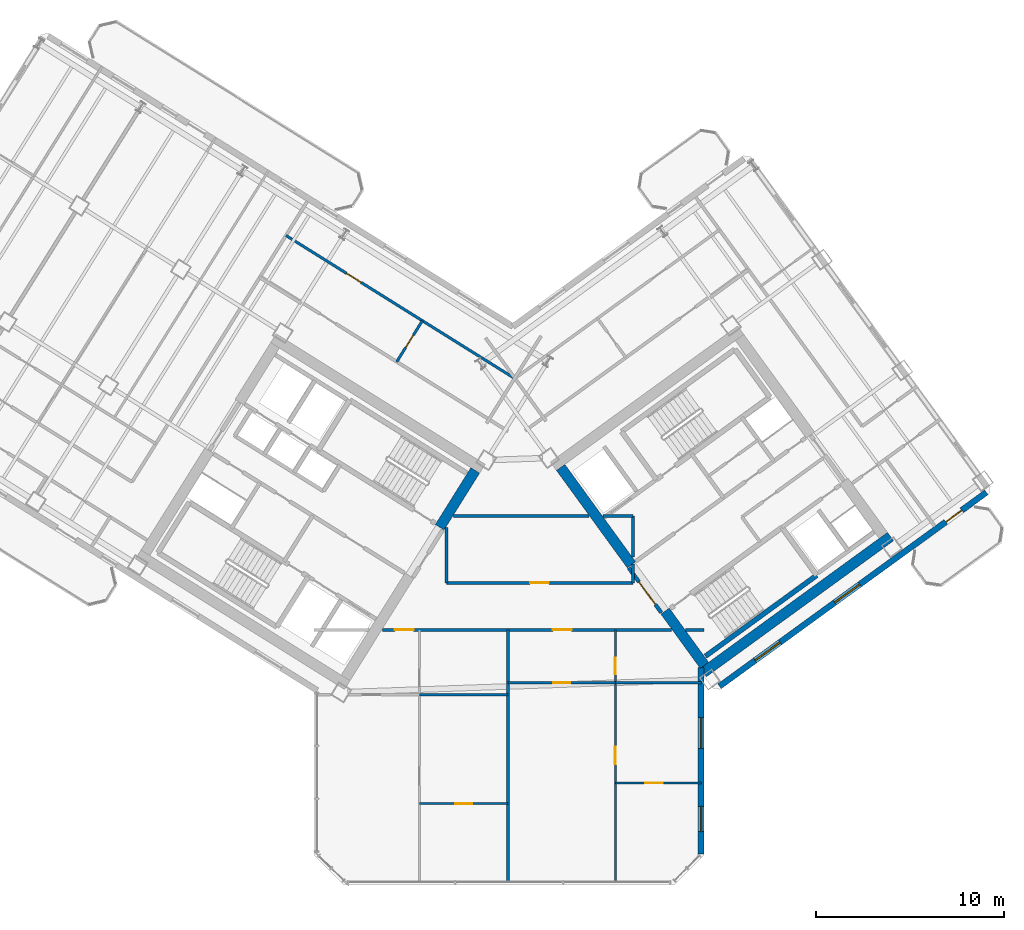
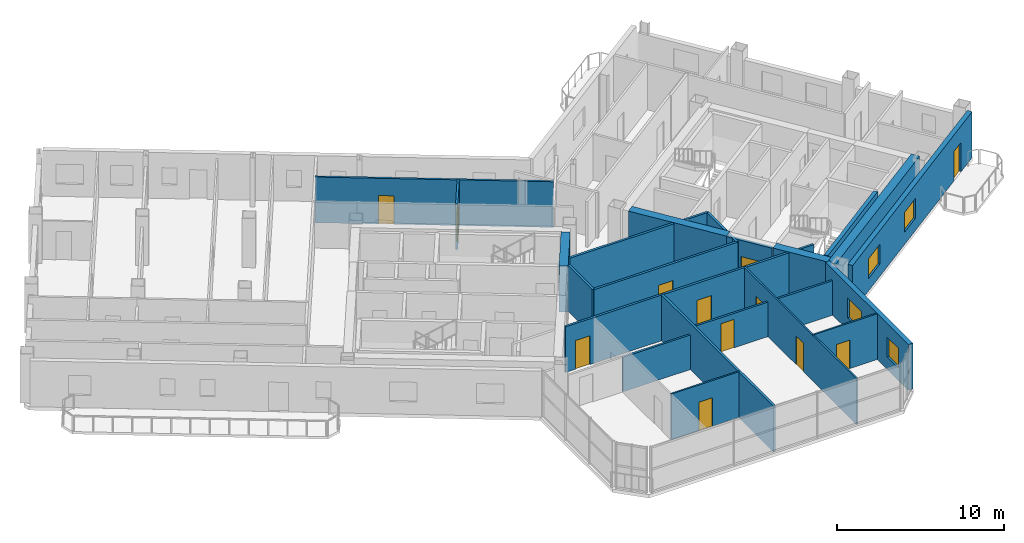
# One storey, part 13 of 20: 25 walls, 12 doors, 4 windows, 16 openings.
"""IFC4 building model written with IfcOpenShell, lengths in metres."""

from ifc_helpers import new_model, si_unit, direction, frame, frame_2d, origin, place, context, subcontext, project, spatial, rectangle, extrude, source, transform, mapped, material, layer, layer_set, type_object, element, fill, save


model = new_model("IFC4")

# Units and contexts
model_context = context("Model", 3, precision=1e-05, world=origin(), true_north=direction((0.0, 1.0)))
body_context = subcontext(model_context, "Body", "Model", "MODEL_VIEW")
ifc_project = project(units=[si_unit("LENGTHUNIT", "METRE"), si_unit("AREAUNIT", "SQUARE_METRE"), si_unit("VOLUMEUNIT", "CUBIC_METRE"), si_unit("PLANEANGLEUNIT", "RADIAN"), si_unit("MASSUNIT", "GRAM", prefix="KILO")], contexts=[model_context])

# Site, building, storey
site_placement = place(None, origin())
site = spatial("IfcSite", under=ifc_project, at=site_placement, CompositionType="ELEMENT")
building_placement = place(site_placement, origin())
building = spatial("IfcBuilding", under=site, at=building_placement, Name="Tlacorven Tower", CompositionType="ELEMENT")
storey_placement = place(building_placement, frame((0.0, 0.0, 204.0)))
storey = spatial("IfcBuildingStorey", under=building, at=storey_placement, Name="L51", CompositionType="ELEMENT", Elevation=204.0)

# Walls
ifc_material_1 = material(Name="Concrete C60/75", Category="concrete")
ifc_layer_1 = layer(ifc_material_1, 0.550048828125)
ifc_layer_set_1 = layer_set([ifc_layer_1], Name="Concrete C60/75")
wall_type_1 = type_object("IfcWallType", Name="WL-COR-550", PredefinedType="SHEAR", material=ifc_layer_set_1)
wall_1_placement = place(storey_placement, frame((40.194091796875, 23.92236328125, 0.0), z_axis=(0.0, 0.0, 1.0), x_axis=(-0.529888438328, -0.848067357541, 0.0)))
element("IfcWall", 1, at=wall_1_placement, inside=storey, type_object=wall_type_1, Name="L51 W core end wall E1.1", PredefinedType="SHEAR", context=body_context, shape_type="SweptSolid", body=[
    extrude(rectangle(XDim=3.574951171875, YDim=0.550048828125, at=frame_2d((1.78759765625, 0.0))), origin(), (0.0, 0.0, 1.0), 3.35009765625),
])
wall_2_placement = place(storey_placement, frame((52.35888671875, 13.1396484375, 0.0), z_axis=(0.0, 0.0, 1.0), x_axis=(0.809014896919, 0.587788139183, 0.0)))
element("IfcWall", 2, at=wall_2_placement, inside=storey, type_object=wall_type_1, Name="L51 E core shear wall S1", PredefinedType="SHEAR", context=body_context, shape_type="SweptSolid", body=[
    extrude(rectangle(XDim=12.340087890625, YDim=0.550048828125, at=frame_2d((6.169921875, 0.0))), origin(), (0.0, 0.0, 1.0), 3.35009765625),
])
wall_3_placement = place(storey_placement, frame((52.419677734375, 13.52392578125, 0.0), z_axis=(0.0, 0.0, 1.0), x_axis=(-0.587802113096, 0.809004744015, 0.0)))
element("IfcWall", 3, at=wall_3_placement, inside=storey, type_object=wall_type_1, Name="L51 E core end wall E1.1", PredefinedType="SHEAR", context=body_context, shape_type="SweptSolid", body=[
    extrude(rectangle(XDim=3.574951171875, YDim=0.550048828125, at=frame_2d((1.78759765625, 0.0))), origin(), (0.0, 0.0, 1.0), 3.35009765625),
])
wall_4_placement = place(storey_placement, frame((48.525634765625, 18.883544921875, 0.0), z_axis=(0.0, 0.0, 1.0), x_axis=(-0.587764933797, 0.809031756236, 0.0)))
element("IfcWall", 4, at=wall_4_placement, inside=storey, type_object=wall_type_1, Name="L51 E core end wall E1.2", PredefinedType="SHEAR", context=body_context, shape_type="SweptSolid", body=[
    extrude(rectangle(XDim=6.425048828125, YDim=0.550048828125, at=frame_2d((3.21240234375, 0.0))), origin(), (0.0, 0.0, 1.0), 3.35009765625),
])

# Wall, openings, doors
ifc_material_2 = material(Name="Gypsum plasterboard acoustic partition", Category="gypsum")
ifc_layer_2 = layer(ifc_material_2, 0.159912109375)
ifc_layer_set_2 = layer_set([ifc_layer_2], Name="Gypsum plasterboard acoustic partition")
wall_type_2 = type_object("IfcWallType", Name="WL-DEM-160", PredefinedType="PARTITIONING", material=ifc_layer_set_2)
wall_5_placement = place(storey_placement, frame((35.2373046875, 15.419921875, 0.0), z_axis=(0.0, 0.0, 1.0), x_axis=(1.0, 0.0, 0.0)))
wall_5 = element("IfcWall", 5, at=wall_5_placement, inside=storey, type_object=wall_type_2, Name="L51 Knuckle Corridor South Wall", PredefinedType="PARTITIONING", context=body_context, shape_type="SweptSolid", body=[
    extrude(rectangle(XDim=15.431640625, YDim=0.159912109375, at=frame_2d((7.7158203125, 0.0))), origin(), (0.0, 0.0, 1.0), 3.340087890625),
])
opening_1_placement = place(wall_5_placement, frame((0.673583984375, 0.0, 0.0)))
opening_1 = element("IfcOpeningElement", 6, at=opening_1_placement, cuts=wall_5, Name="Opening D11", PredefinedType="OPENING", context=body_context, shape_type="SweptSolid", body=[
    extrude(rectangle(XDim=1.0, YDim=2.10009765625, at=frame_2d((0.5, 1.050048828125))), frame((0.0, 0.08984375, 0.0), z_axis=(0.0, -1.0, 0.0), x_axis=(1.0, 0.0, 0.0)), (0.0, 0.0, 1.0), 0.179931640625),
])
opening_2_placement = place(wall_5_placement, frame((9.093994140625, 0.0, 0.0)))
opening_2 = element("IfcOpeningElement", 7, at=opening_2_placement, cuts=wall_5, Name="Opening D11", PredefinedType="OPENING", context=body_context, shape_type="SweptSolid", body=[
    extrude(rectangle(XDim=1.0, YDim=2.10009765625, at=frame_2d((0.5, 1.050048828125))), frame((0.0, 0.08984375, 0.0), z_axis=(0.0, -1.0, 0.0), x_axis=(1.0, 0.0, 0.0)), (0.0, 0.0, 1.0), 0.179931640625),
])
ifc_material_3 = material(Name="Fire-rated steel door assembly", Category="steel")
door_type_1 = type_object("IfcDoorType", Name="DR-FLT-FD60-1000", OperationType="NOTDEFINED", PredefinedType="DOOR", material=ifc_material_3)
shared_shape_1 = source(origin(), body_context, "Body", "SweptSolid", [
    extrude(rectangle(XDim=1.0, YDim=2.10009765625, at=frame_2d((0.5, 1.050048828125))), frame((0.0, 0.02490234375, 0.0), z_axis=(0.0, -1.0, 0.0), x_axis=(1.0, 0.0, 0.0)), (0.0, 0.0, 1.0), 0.050048828125),
])
door_1_placement = place(opening_1_placement, frame((1.0, 0.0, 0.0), z_axis=(0.0, 0.0, 1.0), x_axis=(-1.0, 0.0, 0.0)))
door_1 = element("IfcDoor", 8, at=door_1_placement, inside=storey, type_object=door_type_1, Name="L51 door 043", OperationType="SINGLE_SWING_LEFT", OverallHeight=2.10009765625, OverallWidth=1.0, PredefinedType="DOOR", context=body_context, shape_type="MappedRepresentation", body=[
    mapped(shared_shape_1, transform((0.0, 0.0, 0.0), scale=1.0)),
])
fill(opening_1, door_1)
door_2_placement = place(opening_2_placement, frame((1.0, 0.0, 0.0), z_axis=(0.0, 0.0, 1.0), x_axis=(-1.0, 0.0, 0.0)))
door_2 = element("IfcDoor", 9, at=door_2_placement, inside=storey, type_object=door_type_1, Name="L51 door 048", OperationType="SINGLE_SWING_RIGHT", OverallHeight=2.10009765625, OverallWidth=1.0, PredefinedType="DOOR", context=body_context, shape_type="MappedRepresentation", body=[
    mapped(shared_shape_1, transform((0.0, 0.0, 0.0), scale=1.0)),
])
fill(opening_2, door_2)

# Wall
wall_6_placement = place(storey_placement, frame((51.41552734375, 15.419921875, 0.0), z_axis=(0.0, 0.0, 1.0), x_axis=(1.0, 0.0, 0.0)))
element("IfcWall", 10, at=wall_6_placement, inside=storey, type_object=wall_type_2, Name="L51 Knuckle Corridor South Wall", PredefinedType="PARTITIONING", context=body_context, shape_type="SweptSolid", body=[
    extrude(rectangle(XDim=0.984375, YDim=0.159912109375, at=frame_2d((0.4921875, 0.0))), origin(), (0.0, 0.0, 1.0), 3.340087890625),
])

# Wall, opening, door
wall_7_placement = place(storey_placement, frame((38.64990234375, 17.929931640625, 0.0), z_axis=(0.0, 0.0, 1.0), x_axis=(1.0, 0.0, 0.0)))
wall_7 = element("IfcWall", 11, at=wall_7_placement, inside=storey, type_object=wall_type_2, Name="L51 partition 70", PredefinedType="PARTITIONING", context=body_context, shape_type="SweptSolid", body=[
    extrude(rectangle(XDim=9.9501953125, YDim=0.159912109375, at=frame_2d((4.97509765625, 0.0))), origin(), (0.0, 0.0, 1.0), 3.340087890625),
])
opening_3_placement = place(wall_7_placement, frame((4.47509765625, 0.0, 0.0)))
opening_3 = element("IfcOpeningElement", 12, at=opening_3_placement, cuts=wall_7, Name="Opening D11", PredefinedType="OPENING", context=body_context, shape_type="SweptSolid", body=[
    extrude(rectangle(XDim=1.0, YDim=2.10009765625, at=frame_2d((0.5, 1.050048828125))), frame((0.0, 0.08984375, 0.0), z_axis=(0.0, -1.0, 0.0), x_axis=(1.0, 0.0, 0.0)), (0.0, 0.0, 1.0), 0.179931640625),
])
door_3_placement = place(opening_3_placement, origin())
door_3 = element("IfcDoor", 13, at=door_3_placement, inside=storey, type_object=door_type_1, Name="L51 door 038", OperationType="SINGLE_SWING_RIGHT", OverallHeight=2.10009765625, OverallWidth=1.0, PredefinedType="DOOR", context=body_context, shape_type="MappedRepresentation", body=[
    mapped(shared_shape_1, transform((0.0, 0.0, 0.0), scale=1.0)),
])
fill(opening_3, door_3)

# Walls
wall_8_placement = place(storey_placement, frame((38.64990234375, 17.929931640625, 0.0), z_axis=(0.0, 0.0, 1.0), x_axis=(0.0, 1.0, 0.0)))
element("IfcWall", 14, at=wall_8_placement, inside=storey, type_object=wall_type_2, Name="L51 partition 71", PredefinedType="PARTITIONING", context=body_context, shape_type="SweptSolid", body=[
    extrude(rectangle(XDim=2.951416015625, YDim=0.159912109375, at=frame_2d((1.4755859375, 0.0))), origin(), (0.0, 0.0, 1.0), 3.340087890625),
])
wall_9_placement = place(storey_placement, frame((48.60009765625, 17.929931640625, 0.0), z_axis=(0.0, 0.0, 1.0), x_axis=(0.0, 1.0, 0.0)))
element("IfcWall", 15, at=wall_9_placement, inside=storey, type_object=wall_type_2, Name="L51 partition 72", PredefinedType="PARTITIONING", context=body_context, shape_type="SweptSolid", body=[
    extrude(rectangle(XDim=0.99267578125, YDim=0.159912109375, at=frame_2d((0.496337890625, 0.0))), origin(), (0.0, 0.0, 1.0), 3.340087890625),
])
wall_10_placement = place(storey_placement, frame((48.60009765625, 19.295166015625, 0.0), z_axis=(0.0, 0.0, 1.0), x_axis=(0.0, 1.0, 0.0)))
element("IfcWall", 16, at=wall_10_placement, inside=storey, type_object=wall_type_2, Name="L51 partition 72", PredefinedType="PARTITIONING", context=body_context, shape_type="SweptSolid", body=[
    extrude(rectangle(XDim=2.204833984375, YDim=0.159912109375, at=frame_2d((1.1025390625, 0.0))), origin(), (0.0, 0.0, 1.0), 3.340087890625),
])
wall_11_placement = place(storey_placement, frame((39.03662109375, 21.5, 0.0), z_axis=(0.0, 0.0, 1.0), x_axis=(1.0, 0.0, 0.0)))
element("IfcWall", 17, at=wall_11_placement, inside=storey, type_object=wall_type_2, Name="L51 partition 73", PredefinedType="PARTITIONING", context=body_context, shape_type="SweptSolid", body=[
    extrude(rectangle(XDim=7.21484375, YDim=0.159912109375, at=frame_2d((3.607421875, 0.0))), origin(), (0.0, 0.0, 1.0), 3.340087890625),
])
wall_12_placement = place(storey_placement, frame((46.998046875, 21.5, 0.0), z_axis=(0.0, 0.0, 1.0), x_axis=(1.0, 0.0, 0.0)))
element("IfcWall", 18, at=wall_12_placement, inside=storey, type_object=wall_type_2, Name="L51 partition 73", PredefinedType="PARTITIONING", context=body_context, shape_type="SweptSolid", body=[
    extrude(rectangle(XDim=1.60205078125, YDim=0.159912109375, at=frame_2d((0.801025390625, 0.0))), origin(), (0.0, 0.0, 1.0), 3.340087890625),
])
wall_13_placement = place(storey_placement, frame((41.949951171875, 1.9599609375, 0.0), z_axis=(0.0, 0.0, 1.0), x_axis=(0.0, 1.0, 0.0)))
element("IfcWall", 19, at=wall_13_placement, inside=storey, type_object=wall_type_2, Name="L51 Knuckle Demising Wall 1", PredefinedType="PARTITIONING", context=body_context, shape_type="SweptSolid", body=[
    extrude(rectangle(XDim=13.4599609375, YDim=0.159912109375, at=frame_2d((6.72998046875, 0.0))), origin(), (0.0, 0.0, 1.0), 3.340087890625),
])

# Wall, openings, door, windows
ifc_material_4 = material(Name="Precast concrete C45/55", Category="concrete")
ifc_layer_3 = layer(ifc_material_4, 0.320068359375)
ifc_layer_set_3 = layer_set([ifc_layer_3], Name="Precast concrete C45/55")
wall_type_3 = type_object("IfcWallType", Name="WL-EXT-320", PredefinedType="STANDARD", material=ifc_layer_set_3)
wall_14_placement = place(storey_placement, frame((67.45361328125, 22.746826171875, 0.0), z_axis=(0.0, 0.0, 1.0), x_axis=(-0.809021120468, -0.587779573171, 0.0)))
wall_14 = element("IfcWall", 20, at=wall_14_placement, inside=storey, type_object=wall_type_3, Name="L51 Masonry-Frame Recessed Facade Wall 6", PredefinedType="STANDARD", context=body_context, shape_type="SweptSolid", body=[
    extrude(rectangle(XDim=17.587646484375, YDim=0.320068359375, at=frame_2d((8.7939453125, 0.0))), origin(), (0.0, 0.0, 1.0), 3.35009765625),
])
opening_4_placement = place(wall_14_placement, frame((1.623779296875, 0.0, 0.0)))
opening_4 = element("IfcOpeningElement", 21, at=opening_4_placement, cuts=wall_14, Name="Opening D06", PredefinedType="OPENING", context=body_context, shape_type="SweptSolid", body=[
    extrude(rectangle(XDim=1.050048828125, YDim=2.14990234375, at=frame_2d((0.52490234375, 1.074951171875))), frame((0.0, 0.169921875, 0.0), z_axis=(0.0, -1.0, 0.0), x_axis=(1.0, 0.0, 0.0)), (0.0, 0.0, 1.0), 0.340087890625),
])
opening_5_placement = place(wall_14_placement, frame((8.34375, 0.0, 0.89990234375)))
opening_5 = element("IfcOpeningElement", 22, at=opening_5_placement, cuts=wall_14, Name="Opening WN07", PredefinedType="OPENING", context=body_context, shape_type="SweptSolid", body=[
    extrude(rectangle(XDim=1.64990234375, YDim=1.449951171875, at=frame_2d((0.824951171875, 0.72509765625))), frame((0.0, 0.169921875, 0.0), z_axis=(0.0, -1.0, 0.0), x_axis=(1.0, 0.0, 0.0)), (0.0, 0.0, 1.0), 0.340087890625),
])
opening_6_placement = place(wall_14_placement, frame((13.59375, 0.0, 0.89990234375)))
opening_6 = element("IfcOpeningElement", 23, at=opening_6_placement, cuts=wall_14, Name="Opening WN07", PredefinedType="OPENING", context=body_context, shape_type="SweptSolid", body=[
    extrude(rectangle(XDim=1.64990234375, YDim=1.449951171875, at=frame_2d((0.824951171875, 0.72509765625))), frame((0.0, 0.169921875, 0.0), z_axis=(0.0, -1.0, 0.0), x_axis=(1.0, 0.0, 0.0)), (0.0, 0.0, 1.0), 0.340087890625),
])
ifc_material_5 = material(Name="Powder-coated aluminium and timber door", Category="wood")
door_type_2 = type_object("IfcDoorType", Name="DR-EXT-BALC-1050", OperationType="NOTDEFINED", PredefinedType="DOOR", material=ifc_material_5)
shared_shape_2 = source(origin(), body_context, "Body", "SweptSolid", [
    extrude(rectangle(XDim=1.050048828125, YDim=2.14990234375, at=frame_2d((0.52490234375, 1.074951171875))), frame((0.0, 0.02490234375, 0.0), z_axis=(0.0, -1.0, 0.0), x_axis=(1.0, 0.0, 0.0)), (0.0, 0.0, 1.0), 0.050048828125),
])
door_4_placement = place(opening_4_placement, origin())
door_4 = element("IfcDoor", 24, at=door_4_placement, inside=storey, type_object=door_type_2, Name="L51 Outdoor Access Door BAL-L51-E-OUT", OperationType="SINGLE_SWING_LEFT", OverallHeight=2.14990234375, OverallWidth=1.050048828125, PredefinedType="DOOR", context=body_context, shape_type="MappedRepresentation", body=[
    mapped(shared_shape_2, transform((0.0, 0.0, 0.0), scale=1.0)),
])
fill(opening_4, door_4)
ifc_material_6 = material(Name="Dark solar low-E double glazing in anodised aluminium frame", Category="aluminium")
window_type_1 = type_object("IfcWindowType", Name="WN-APT-1650X1600", PartitioningType="SINGLE_PANEL", PredefinedType="WINDOW", material=ifc_material_6)
shared_shape_3 = source(origin(), body_context, "Body", "SweptSolid", [
    extrude(rectangle(XDim=1.64990234375, YDim=1.449951171875, at=frame_2d((0.824951171875, 0.72509765625))), frame((0.0, 0.030029296875, 0.0), z_axis=(0.0, -1.0, 0.0), x_axis=(1.0, 0.0, 0.0)), (0.0, 0.0, 1.0), 0.06005859375),
])
window_1_placement = place(opening_5_placement, origin())
window_1 = element("IfcWindow", 25, at=window_1_placement, inside=storey, type_object=window_type_1, Name="L51 Recessed Masonry-Frame Window L51-06.1", OverallHeight=1.449951171875, OverallWidth=1.64990234375, PartitioningType="SINGLE_PANEL", PredefinedType="WINDOW", context=body_context, shape_type="MappedRepresentation", body=[
    mapped(shared_shape_3, transform((0.0, 0.0, 0.0), scale=1.0)),
])
fill(opening_5, window_1)
window_2_placement = place(opening_6_placement, origin())
window_2 = element("IfcWindow", 26, at=window_2_placement, inside=storey, type_object=window_type_1, Name="L51 Recessed Masonry-Frame Window L51-06.2", OverallHeight=1.449951171875, OverallWidth=1.64990234375, PartitioningType="SINGLE_PANEL", PredefinedType="WINDOW", context=body_context, shape_type="MappedRepresentation", body=[
    mapped(shared_shape_3, transform((0.0, 0.0, 0.0), scale=1.0)),
])
fill(opening_6, window_2)

# Wall, openings, windows
wall_15_placement = place(storey_placement, frame((52.239990234375, 13.4140625, 0.0), z_axis=(0.0, 0.0, 1.0), x_axis=(0.0, -1.0, 0.0)))
wall_15 = element("IfcWall", 27, at=wall_15_placement, inside=storey, type_object=wall_type_3, Name="L51 Masonry-Frame Recessed Facade Wall 7", PredefinedType="STANDARD", context=body_context, shape_type="SweptSolid", body=[
    extrude(rectangle(XDim=9.94775390625, YDim=0.320068359375, at=frame_2d((4.973876953125, 0.0))), origin(), (0.0, 0.0, 1.0), 3.35009765625),
])
opening_7_placement = place(wall_15_placement, frame((2.67138671875, 0.0, 0.89990234375)))
opening_7 = element("IfcOpeningElement", 28, at=opening_7_placement, cuts=wall_15, Name="Opening WN07", PredefinedType="OPENING", context=body_context, shape_type="SweptSolid", body=[
    extrude(rectangle(XDim=1.64990234375, YDim=1.449951171875, at=frame_2d((0.824951171875, 0.72509765625))), frame((0.0, 0.169921875, 0.0), z_axis=(0.0, -1.0, 0.0), x_axis=(1.0, 0.0, 0.0)), (0.0, 0.0, 1.0), 0.340087890625),
])
opening_8_placement = place(wall_15_placement, frame((7.408447265625, 0.0, 0.89990234375)))
opening_8 = element("IfcOpeningElement", 29, at=opening_8_placement, cuts=wall_15, Name="Opening WN08", PredefinedType="OPENING", context=body_context, shape_type="SweptSolid", body=[
    extrude(rectangle(XDim=1.35009765625, YDim=1.449951171875, at=frame_2d((0.675048828125, 0.72509765625))), frame((0.0, 0.169921875, 0.0), z_axis=(0.0, -1.0, 0.0), x_axis=(1.0, 0.0, 0.0)), (0.0, 0.0, 1.0), 0.340087890625),
])
window_3_placement = place(opening_7_placement, origin())
window_3 = element("IfcWindow", 30, at=window_3_placement, inside=storey, type_object=window_type_1, Name="L51 Recessed Masonry-Frame Window L51-07.1", OverallHeight=1.449951171875, OverallWidth=1.64990234375, PartitioningType="SINGLE_PANEL", PredefinedType="WINDOW", context=body_context, shape_type="MappedRepresentation", body=[
    mapped(shared_shape_3, transform((0.0, 0.0, 0.0), scale=1.0)),
])
fill(opening_7, window_3)
window_type_2 = type_object("IfcWindowType", Name="WN-APT-1350X1550", PartitioningType="SINGLE_PANEL", PredefinedType="WINDOW", material=ifc_material_6)
shared_shape_4 = source(origin(), body_context, "Body", "SweptSolid", [
    extrude(rectangle(XDim=1.35009765625, YDim=1.449951171875, at=frame_2d((0.675048828125, 0.72509765625))), frame((0.0, 0.030029296875, 0.0), z_axis=(0.0, -1.0, 0.0), x_axis=(1.0, 0.0, 0.0)), (0.0, 0.0, 1.0), 0.06005859375),
])
window_4_placement = place(opening_8_placement, origin())
window_4 = element("IfcWindow", 31, at=window_4_placement, inside=storey, type_object=window_type_2, Name="L51 Recessed Masonry-Frame Window L51-07.2", OverallHeight=1.449951171875, OverallWidth=1.35009765625, PartitioningType="SINGLE_PANEL", PredefinedType="WINDOW", context=body_context, shape_type="MappedRepresentation", body=[
    mapped(shared_shape_4, transform((0.0, 0.0, 0.0), scale=1.0)),
])
fill(opening_8, window_4)

# Wall, opening, door
ifc_material_7 = material(Name="Gypsum plasterboard partition", Category="gypsum")
ifc_layer_4 = layer(ifc_material_7, 0.110107421875)
ifc_layer_set_4 = layer_set([ifc_layer_4], Name="Gypsum plasterboard partition")
wall_type_4 = type_object("IfcWallType", Name="WL-INT-110", PredefinedType="PARTITIONING", material=ifc_layer_set_4)
wall_16_placement = place(storey_placement, frame((37.221923828125, 6.14990234375, 0.0), z_axis=(0.0, 0.0, 1.0), x_axis=(1.0, 0.0, 0.0)))
wall_16 = element("IfcWall", 32, at=wall_16_placement, inside=storey, type_object=wall_type_4, Name="L51 partition 79", PredefinedType="PARTITIONING", context=body_context, shape_type="SweptSolid", body=[
    extrude(rectangle(XDim=4.72802734375, YDim=0.110107421875, at=frame_2d((2.364013671875, 0.0))), origin(), (0.0, 0.0, 1.0), 3.340087890625),
])
opening_9_placement = place(wall_16_placement, frame((1.904052734375, 0.0, 0.0)))
opening_9 = element("IfcOpeningElement", 33, at=opening_9_placement, cuts=wall_16, Name="Opening D12", PredefinedType="OPENING", context=body_context, shape_type="SweptSolid", body=[
    extrude(rectangle(XDim=0.919921875, YDim=2.080078125, at=frame_2d((0.4599609375, 1.0400390625))), frame((0.0, 0.06494140625, 0.0), z_axis=(0.0, -1.0, 0.0), x_axis=(1.0, 0.0, 0.0)), (0.0, 0.0, 1.0), 0.130126953125),
])
door_type_3 = type_object("IfcDoorType", Name="DR-INT-ROOM-0920", OperationType="NOTDEFINED", PredefinedType="DOOR", material=ifc_material_5)
shared_shape_5 = source(origin(), body_context, "Body", "SweptSolid", [
    extrude(rectangle(XDim=0.919921875, YDim=2.080078125, at=frame_2d((0.4599609375, 1.0400390625))), frame((0.0, 0.02490234375, 0.0), z_axis=(0.0, -1.0, 0.0), x_axis=(1.0, 0.0, 0.0)), (0.0, 0.0, 1.0), 0.050048828125),
])
door_5_placement = place(opening_9_placement, origin())
door_5 = element("IfcDoor", 34, at=door_5_placement, inside=storey, type_object=door_type_3, Name="L51 door 042", OperationType="SINGLE_SWING_RIGHT", OverallHeight=2.080078125, OverallWidth=0.919921875, PredefinedType="DOOR", context=body_context, shape_type="MappedRepresentation", body=[
    mapped(shared_shape_5, transform((0.0, 0.0, 0.0), scale=1.0)),
])
fill(opening_9, door_5)

# Wall, openings, doors
wall_17_placement = place(storey_placement, frame((47.6630859375, 1.9599609375, 0.0), z_axis=(0.0, 0.0, 1.0), x_axis=(0.0, 1.0, 0.0)))
wall_17 = element("IfcWall", 35, at=wall_17_placement, inside=storey, type_object=wall_type_4, Name="L51 partition 80", PredefinedType="PARTITIONING", context=body_context, shape_type="SweptSolid", body=[
    extrude(rectangle(XDim=13.4599609375, YDim=0.110107421875, at=frame_2d((6.72998046875, 0.0))), origin(), (0.0, 0.0, 1.0), 3.340087890625),
])
opening_10_placement = place(wall_17_placement, frame((6.300048828125, 0.0, 0.0)))
opening_10 = element("IfcOpeningElement", 36, at=opening_10_placement, cuts=wall_17, Name="Opening D12", PredefinedType="OPENING", context=body_context, shape_type="SweptSolid", body=[
    extrude(rectangle(XDim=0.919921875, YDim=2.080078125, at=frame_2d((0.4599609375, 1.0400390625))), frame((0.0, 0.06494140625, 0.0), z_axis=(0.0, -1.0, 0.0), x_axis=(1.0, 0.0, 0.0)), (0.0, 0.0, 1.0), 0.130126953125),
])
opening_11_placement = place(wall_17_placement, frame((11.10009765625, 0.0, 0.0)))
opening_11 = element("IfcOpeningElement", 37, at=opening_11_placement, cuts=wall_17, Name="Opening D13", PredefinedType="OPENING", context=body_context, shape_type="SweptSolid", body=[
    extrude(rectangle(XDim=0.8798828125, YDim=2.080078125, at=frame_2d((0.43994140625, 1.0400390625))), frame((0.0, 0.06494140625, 0.0), z_axis=(0.0, -1.0, 0.0), x_axis=(1.0, 0.0, 0.0)), (0.0, 0.0, 1.0), 0.130126953125),
])
door_type_4 = type_object("IfcDoorType", Name="DR-INT-WET-0880", OperationType="NOTDEFINED", PredefinedType="DOOR", material=ifc_material_5)
shared_shape_6 = source(origin(), body_context, "Body", "SweptSolid", [
    extrude(rectangle(XDim=0.8798828125, YDim=2.080078125, at=frame_2d((0.43994140625, 1.0400390625))), frame((0.0, 0.02490234375, 0.0), z_axis=(0.0, -1.0, 0.0), x_axis=(1.0, 0.0, 0.0)), (0.0, 0.0, 1.0), 0.050048828125),
])
door_6_placement = place(opening_11_placement, origin())
door_6 = element("IfcDoor", 38, at=door_6_placement, inside=storey, type_object=door_type_4, Name="L51 door 050", OperationType="SINGLE_SWING_RIGHT", OverallHeight=2.080078125, OverallWidth=0.8798828125, PredefinedType="DOOR", context=body_context, shape_type="MappedRepresentation", body=[
    mapped(shared_shape_6, transform((0.0, 0.0, 0.0), scale=1.0)),
])
fill(opening_11, door_6)
door_7_placement = place(opening_10_placement, origin())
door_7 = element("IfcDoor", 39, at=door_7_placement, inside=storey, type_object=door_type_3, Name="L51 door 046", OperationType="SINGLE_SWING_RIGHT", OverallHeight=2.080078125, OverallWidth=0.919921875, PredefinedType="DOOR", context=body_context, shape_type="MappedRepresentation", body=[
    mapped(shared_shape_5, transform((0.0, 0.0, 0.0), scale=1.0)),
])
fill(opening_10, door_7)

# Wall, opening, door
wall_18_placement = place(storey_placement, frame((47.6630859375, 7.25, 0.0), z_axis=(0.0, 0.0, 1.0), x_axis=(1.0, 0.0, 0.0)))
wall_18 = element("IfcWall", 40, at=wall_18_placement, inside=storey, type_object=wall_type_4, Name="L51 partition 83", PredefinedType="PARTITIONING", context=body_context, shape_type="SweptSolid", body=[
    extrude(rectangle(XDim=4.596923828125, YDim=0.110107421875, at=frame_2d((2.29833984375, 0.0))), origin(), (0.0, 0.0, 1.0), 3.340087890625),
])
opening_12_placement = place(wall_18_placement, frame((1.6083984375, 0.0, 0.0)))
opening_12 = element("IfcOpeningElement", 41, at=opening_12_placement, cuts=wall_18, Name="Opening D12", PredefinedType="OPENING", context=body_context, shape_type="SweptSolid", body=[
    extrude(rectangle(XDim=0.919921875, YDim=2.080078125, at=frame_2d((0.4599609375, 1.0400390625))), frame((0.0, 0.06494140625, 0.0), z_axis=(0.0, -1.0, 0.0), x_axis=(1.0, 0.0, 0.0)), (0.0, 0.0, 1.0), 0.130126953125),
])
door_8_placement = place(opening_12_placement, origin())
door_8 = element("IfcDoor", 42, at=door_8_placement, inside=storey, type_object=door_type_3, Name="L51 door 047", OperationType="SINGLE_SWING_LEFT", OverallHeight=2.080078125, OverallWidth=0.919921875, PredefinedType="DOOR", context=body_context, shape_type="MappedRepresentation", body=[
    mapped(shared_shape_5, transform((0.0, 0.0, 0.0), scale=1.0)),
])
fill(opening_12, door_8)

ifc_material_8 = material(Name="Moisture-resistant gypsum plumbing wall", Category="gypsum")
ifc_layer_5 = layer(ifc_material_8, 0.139892578125)
ifc_layer_set_5 = layer_set([ifc_layer_5], Name="Moisture-resistant gypsum plumbing wall")
wall_type_5 = type_object("IfcWallType", Name="WL-PLM-140", PredefinedType="PLUMBINGWALL", material=ifc_layer_set_5)
wall_19_placement = place(storey_placement, frame((42.226318359375, 28.872802734375, 0.0), z_axis=(0.0, 0.0, 1.0), x_axis=(-0.848049134363, 0.529917602752, 0.0)))
wall_19 = element("IfcWall", 43, at=wall_19_placement, inside=storey, type_object=wall_type_5, Name="L51 partition 66", PredefinedType="PLUMBINGWALL", context=body_context, shape_type="SweptSolid", body=[
    extrude(rectangle(XDim=14.300048828125, YDim=0.139892578125, at=frame_2d((7.14990234375, 0.0))), origin(), (0.0, 0.0, 1.0), 3.340087890625),
])
opening_13_placement = place(wall_19_placement, frame((9.570068359375, 0.0, 0.0)))
opening_13 = element("IfcOpeningElement", 44, at=opening_13_placement, cuts=wall_19, Name="Opening D12", PredefinedType="OPENING", context=body_context, shape_type="SweptSolid", body=[
    extrude(rectangle(XDim=0.919921875, YDim=2.080078125, at=frame_2d((0.4599609375, 1.0400390625))), frame((0.0, 0.080078125, 0.0), z_axis=(0.0, -1.0, 0.0), x_axis=(1.0, 0.0, 0.0)), (0.0, 0.0, 1.0), 0.159912109375),
])
door_9_placement = place(opening_13_placement, origin())
door_9 = element("IfcDoor", 45, at=door_9_placement, inside=storey, type_object=door_type_3, Name="L51 door 036", OperationType="SINGLE_SWING_RIGHT", OverallHeight=2.080078125, OverallWidth=0.919921875, PredefinedType="DOOR", context=body_context, shape_type="MappedRepresentation", body=[
    mapped(shared_shape_5, transform((0.0, 0.0, 0.0), scale=1.0)),
])
fill(opening_13, door_9)

wall_20_placement = place(storey_placement, frame((37.37548828125, 31.904052734375, 0.0), z_axis=(0.0, 0.0, 1.0), x_axis=(-0.529913878929, -0.848051461244, 0.0)))
wall_20 = element("IfcWall", 46, at=wall_20_placement, inside=storey, type_object=wall_type_5, Name="L51 partition 67", PredefinedType="PLUMBINGWALL", context=body_context, shape_type="SweptSolid", body=[
    extrude(rectangle(XDim=2.580078125, YDim=0.139892578125, at=frame_2d((1.2900390625, 0.0))), origin(), (0.0, 0.0, 1.0), 3.340087890625),
])
opening_14_placement = place(wall_20_placement, frame((0.89990234375, 0.0, 0.0)))
opening_14 = element("IfcOpeningElement", 47, at=opening_14_placement, cuts=wall_20, Name="Opening D22", PredefinedType="OPENING", context=body_context, shape_type="SweptSolid", body=[
    extrude(rectangle(XDim=0.780029296875, YDim=2.050048828125, at=frame_2d((0.39013671875, 1.02490234375))), frame((0.0, 0.080078125, 0.0), z_axis=(0.0, -1.0, 0.0), x_axis=(1.0, 0.0, 0.0)), (0.0, 0.0, 1.0), 0.159912109375),
])
door_type_5 = type_object("IfcDoorType", Name="DR-INT-WET-0780", OperationType="NOTDEFINED", PredefinedType="DOOR", material=ifc_material_5)
shared_shape_7 = source(origin(), body_context, "Body", "SweptSolid", [
    extrude(rectangle(XDim=0.780029296875, YDim=2.050048828125, at=frame_2d((0.39013671875, 1.02490234375))), frame((0.0, 0.02490234375, 0.0), z_axis=(0.0, -1.0, 0.0), x_axis=(1.0, 0.0, 0.0)), (0.0, 0.0, 1.0), 0.050048828125),
])
door_10_placement = place(opening_14_placement, origin())
door_10 = element("IfcDoor", 48, at=door_10_placement, inside=storey, type_object=door_type_5, Name="L51 door 037", OperationType="SINGLE_SWING_LEFT", OverallHeight=2.050048828125, OverallWidth=0.780029296875, PredefinedType="DOOR", context=body_context, shape_type="MappedRepresentation", body=[
    mapped(shared_shape_7, transform((0.0, 0.0, 0.0), scale=1.0)),
])
fill(opening_14, door_10)

# Wall
wall_21_placement = place(storey_placement, frame((37.221923828125, 11.949951171875, 0.0), z_axis=(0.0, 0.0, 1.0), x_axis=(1.0, 0.0, 0.0)))
element("IfcWall", 49, at=wall_21_placement, inside=storey, type_object=wall_type_5, Name="L51 partition 78", PredefinedType="PLUMBINGWALL", context=body_context, shape_type="SweptSolid", body=[
    extrude(rectangle(XDim=4.72802734375, YDim=0.139892578125, at=frame_2d((2.364013671875, 0.0))), origin(), (0.0, 0.0, 1.0), 2.52490234375),
])

# Wall, opening, door
wall_22_placement = place(storey_placement, frame((41.949951171875, 12.60009765625, 0.0), z_axis=(0.0, 0.0, 1.0), x_axis=(1.0, 0.0, 0.0)))
wall_22 = element("IfcWall", 50, at=wall_22_placement, inside=storey, type_object=wall_type_5, Name="L51 partition 81", PredefinedType="PLUMBINGWALL", context=body_context, shape_type="SweptSolid", body=[
    extrude(rectangle(XDim=5.713134765625, YDim=0.139892578125, at=frame_2d((2.8564453125, 0.0))), origin(), (0.0, 0.0, 1.0), 2.52490234375),
])
opening_15_placement = place(wall_22_placement, frame((2.396484375, 0.0, 0.0)))
opening_15 = element("IfcOpeningElement", 51, at=opening_15_placement, cuts=wall_22, Name="Opening D12", PredefinedType="OPENING", context=body_context, shape_type="SweptSolid", body=[
    extrude(rectangle(XDim=0.919921875, YDim=2.080078125, at=frame_2d((0.4599609375, 1.0400390625))), frame((0.0, 0.080078125, 0.0), z_axis=(0.0, -1.0, 0.0), x_axis=(1.0, 0.0, 0.0)), (0.0, 0.0, 1.0), 0.159912109375),
])
door_11_placement = place(opening_15_placement, frame((0.919921875, 0.0, 0.0), z_axis=(0.0, 0.0, 1.0), x_axis=(-1.0, 0.0, 0.0)))
door_11 = element("IfcDoor", 52, at=door_11_placement, inside=storey, type_object=door_type_3, Name="L51 door 049", OperationType="SINGLE_SWING_LEFT", OverallHeight=2.080078125, OverallWidth=0.919921875, PredefinedType="DOOR", context=body_context, shape_type="MappedRepresentation", body=[
    mapped(shared_shape_5, transform((0.0, 0.0, 0.0), scale=1.0)),
])
fill(opening_15, door_11)

# Wall
wall_23_placement = place(storey_placement, frame((47.6630859375, 12.60009765625, 0.0), z_axis=(0.0, 0.0, 1.0), x_axis=(1.0, 0.0, 0.0)))
element("IfcWall", 53, at=wall_23_placement, inside=storey, type_object=wall_type_5, Name="L51 partition 82", PredefinedType="PLUMBINGWALL", context=body_context, shape_type="SweptSolid", body=[
    extrude(rectangle(XDim=4.596923828125, YDim=0.139892578125, at=frame_2d((2.29833984375, 0.0))), origin(), (0.0, 0.0, 1.0), 2.52490234375),
])

# Wall, opening, door
ifc_material_9 = material(Name="Concrete C40/50", Category="concrete")
ifc_layer_6 = layer(ifc_material_9, 0.199951171875)
ifc_layer_set_6 = layer_set([ifc_layer_6], Name="Concrete C40/50")
wall_type_6 = type_object("IfcWallType", Name="WL-SHF-200", PredefinedType="STANDARD", material=ifc_layer_set_6)
wall_24_placement = place(storey_placement, frame((50.119140625, 16.3330078125, 0.0), z_axis=(0.0, 0.0, 1.0), x_axis=(-0.587749856981, 0.809042709391, 0.0)))
wall_24 = element("IfcWall", 54, at=wall_24_placement, inside=storey, type_object=wall_type_6, Name="L51 partition 74", PredefinedType="STANDARD", context=body_context, shape_type="SweptSolid", body=[
    extrude(rectangle(XDim=2.9599609375, YDim=0.199951171875, at=frame_2d((1.47998046875, 0.0))), origin(), (0.0, 0.0, 1.0), 3.340087890625),
])
opening_16_placement = place(wall_24_placement, frame((0.530029296875, 0.0, 0.0)))
opening_16 = element("IfcOpeningElement", 55, at=opening_16_placement, cuts=wall_24, Name="Opening D10", PredefinedType="OPENING", context=body_context, shape_type="SweptSolid", body=[
    extrude(rectangle(XDim=1.5, YDim=2.14990234375, at=frame_2d((0.75, 1.074951171875))), frame((0.0, 0.10986328125, 0.0), z_axis=(0.0, -1.0, 0.0), x_axis=(1.0, 0.0, 0.0)), (0.0, 0.0, 1.0), 0.219970703125),
])
door_type_6 = type_object("IfcDoorType", Name="DR-LOB-FD60-1500", OperationType="DOUBLE_DOOR_SINGLE_SWING", PredefinedType="DOOR", material=ifc_material_3)
shared_shape_8 = source(origin(), body_context, "Body", "SweptSolid", [
    extrude(rectangle(XDim=1.5, YDim=2.14990234375, at=frame_2d((0.75, 1.074951171875))), frame((0.0, 0.02490234375, 0.0), z_axis=(0.0, -1.0, 0.0), x_axis=(1.0, 0.0, 0.0)), (0.0, 0.0, 1.0), 0.050048828125),
])
door_12_placement = place(opening_16_placement, frame((1.5, 0.0, 0.0), z_axis=(0.0, 0.0, 1.0), x_axis=(-1.0, 0.0, 0.0)))
door_12 = element("IfcDoor", 56, at=door_12_placement, inside=storey, type_object=door_type_6, Name="L51 door 040", OperationType="DOUBLE_DOOR_SINGLE_SWING", OverallHeight=2.14990234375, OverallWidth=1.5, PredefinedType="DOOR", context=body_context, shape_type="MappedRepresentation", body=[
    mapped(shared_shape_8, transform((0.0, 0.0, 0.0), scale=1.0)),
])
fill(opening_16, door_12)

# Wall
ifc_material_10 = material(Name="Concrete C50/60", Category="concrete")
ifc_layer_7 = layer(ifc_material_10, 0.260009765625)
ifc_layer_set_7 = layer_set([ifc_layer_7], Name="Concrete C50/60")
wall_type_7 = type_object("IfcWallType", Name="WL-STW-260", PredefinedType="SHEAR", material=ifc_layer_set_7)
wall_25_placement = place(storey_placement, frame((52.47216796875, 14.01318359375, 0.0), z_axis=(0.0, 0.0, 1.0), x_axis=(0.809028366311, 0.587769599847, 0.0)))
element("IfcWall", 57, at=wall_25_placement, inside=storey, type_object=wall_type_7, Name="L51 Stair E2 Far Shear Wall", PredefinedType="SHEAR", context=body_context, shape_type="SweptSolid", body=[
    extrude(rectangle(XDim=7.330078125, YDim=0.260009765625, at=frame_2d((3.6650390625, 0.0))), origin(), (0.0, 0.0, 1.0), 3.35009765625),
])

save(model, "model.ifc")
